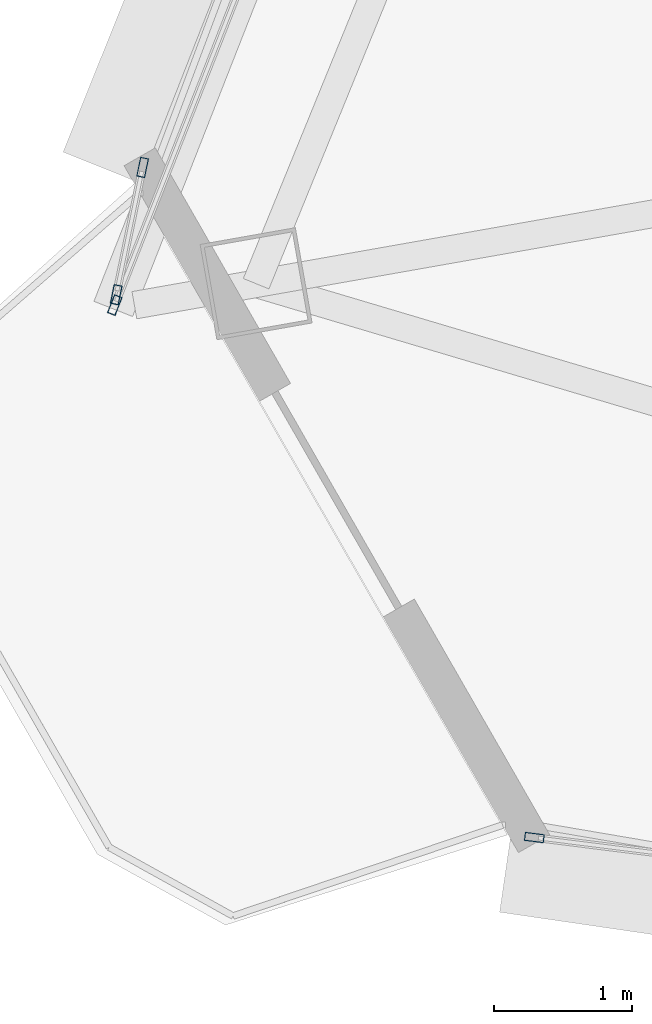
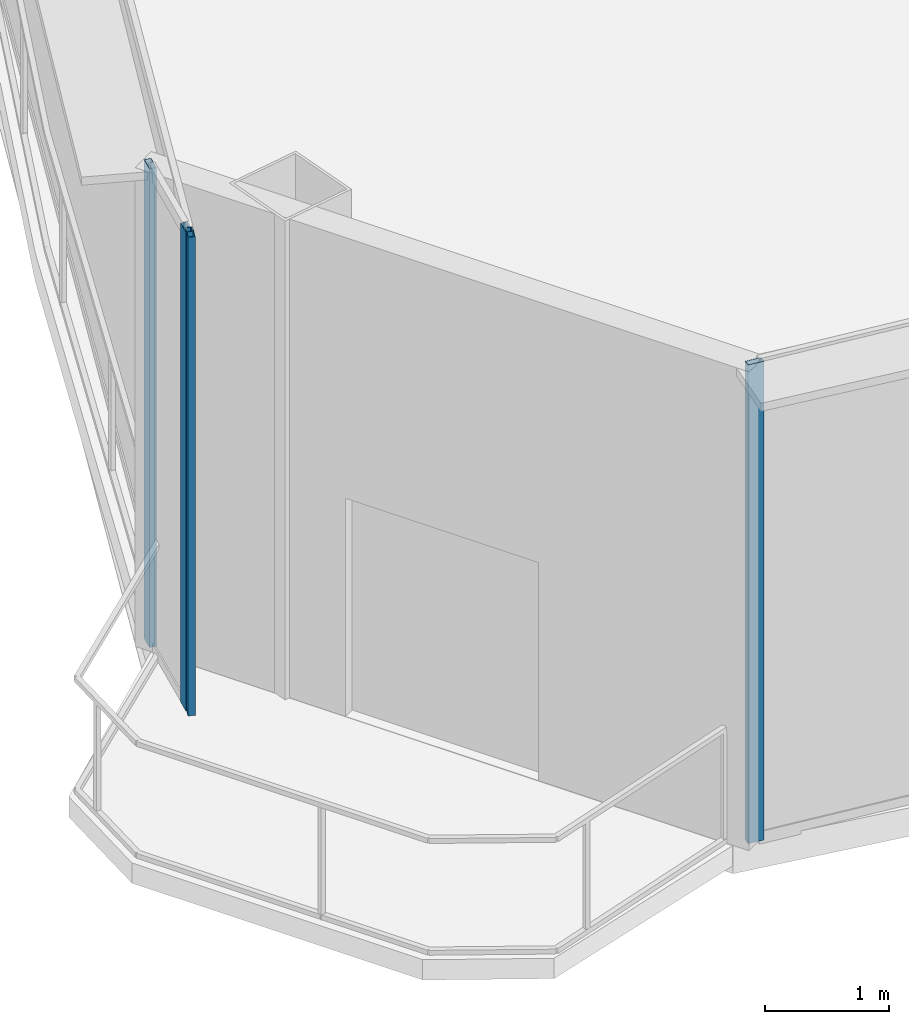
# One storey, part 2 of 29: 4 members, 3 elements without a shape of their own.
"""IFC4 building model written with IfcOpenShell, lengths in metres."""

from ifc_helpers import new_model, si_unit, direction, frame, origin, origin_2d, place, context, subcontext, project, spatial, hollow_rectangle, extrude, source, transform, mapped, material, layer, layer_set, material_profile, profile_set, type_object, element, aggregate, save


model = new_model("IFC4")

# Units and contexts
model_context = context("Model", 3, precision=1e-05, world=origin(), true_north=direction((0.0, 1.0)))
body_context = subcontext(model_context, "Body", "Model", "MODEL_VIEW")
ifc_project = project(units=[si_unit("LENGTHUNIT", "METRE"), si_unit("AREAUNIT", "SQUARE_METRE"), si_unit("VOLUMEUNIT", "CUBIC_METRE"), si_unit("PLANEANGLEUNIT", "RADIAN"), si_unit("MASSUNIT", "GRAM", prefix="KILO"), si_unit("THERMODYNAMICTEMPERATUREUNIT", "KELVIN"), si_unit("POWERUNIT", "WATT")], contexts=[model_context])

# Site, building, storey
site_placement = place(None, origin())
site = spatial("IfcSite", under=ifc_project, at=site_placement, CompositionType="ELEMENT")
building_placement = place(site_placement, origin())
building = spatial("IfcBuilding", under=site, at=building_placement, Name="Yunzhuo Pagoda Commons", CompositionType="ELEMENT")
storey_placement = place(building_placement, frame((0.0, 0.0, 366.760009765625)))
storey = spatial("IfcBuildingStorey", under=building, at=storey_placement, Name="L92", CompositionType="ELEMENT", Elevation=366.760009765625)

# Curtain wall, member
ifc_material = material(Name="Anodized aluminium 6063-T6", Category="aluminium")
ifc_layer = layer(ifc_material, 0.139892578125)
ifc_layer_set = layer_set([ifc_layer], Name="Anodized aluminium 6063-T6")
curtain_wall_type = type_object("IfcCurtainWallType", Name="CW-HI High-Zone Ribbon Curtain Wall", PredefinedType="NOTDEFINED", material=ifc_layer_set)
curtain_wall_1_placement = place(storey_placement, origin())
curtain_wall_1 = element("IfcCurtainWall", 1, at=curtain_wall_1_placement, inside=storey, type_object=curtain_wall_type, Name="L92 curtain wall CW-L92-F1B1", PredefinedType="NOTDEFINED")
ifc_material_profile = material_profile(ifc_material, hollow_rectangle(XDim=0.06005859375, YDim=0.139892578125, WallThickness=0.00341796875, at=origin_2d()), Name="Anodized aluminium 6063-T6")
ifc_profile_set = profile_set([ifc_material_profile], Name="Anodized aluminium 6063-T6")
member_type = type_object("IfcMemberType", Name="CW-HI-M Mullion RHS 140x60x3.5", PredefinedType="MULLION", material=ifc_profile_set)
shared_shape = source(origin(), body_context, "Body", "SweptSolid", [
    extrude(hollow_rectangle(XDim=0.06005859375, YDim=0.139892578125, WallThickness=0.00341796875, at=origin_2d()), origin(), (0.0, 0.0, 1.0), 4.72021484375),
])
member_1_placement = place(storey_placement, frame((25.54345703125, 25.37646484375, 0.0), z_axis=(0.0, 0.0, 1.0), x_axis=(0.124712184848, 0.992192960543, 0.0)))
member_1 = element("IfcMember", 2, at=member_1_placement, type_object=member_type, Name="CW mullion 1", PredefinedType="MULLION", context=body_context, shape_type="MappedRepresentation", body=[
    mapped(shared_shape, transform((0.0, 0.0, 0.0), scale=1.0)),
])
aggregate(curtain_wall_1, [member_1])

curtain_wall_2_placement = place(storey_placement, origin())
curtain_wall_2 = element("IfcCurtainWall", 3, at=curtain_wall_2_placement, inside=storey, type_object=curtain_wall_type, Name="L92 curtain wall CW-L92-F3B4", PredefinedType="NOTDEFINED")
member_2_placement = place(storey_placement, frame((22.5068359375, 29.230712890625, 0.0), z_axis=(0.0, 0.0, 1.0), x_axis=(0.930802876709, -0.365521551636, 0.0)))
member_2 = element("IfcMember", 4, at=member_2_placement, type_object=member_type, Name="CW mullion 2", PredefinedType="MULLION", context=body_context, shape_type="MappedRepresentation", body=[
    mapped(shared_shape, transform((0.0, 0.0, 0.0), scale=1.0)),
])
aggregate(curtain_wall_2, [member_2])

# Curtain wall, members
curtain_wall_3_placement = place(storey_placement, origin())
curtain_wall_3 = element("IfcCurtainWall", 5, at=curtain_wall_3_placement, inside=storey, type_object=curtain_wall_type, Name="L92 curtain wall CW-L92-F3B5", PredefinedType="NOTDEFINED")
member_3_placement = place(storey_placement, frame((22.51708984375, 29.3056640625, 0.0), z_axis=(0.0, 0.0, 1.0), x_axis=(-0.979140590747, 0.203183915585, 0.0)))
member_3 = element("IfcMember", 6, at=member_3_placement, type_object=member_type, Name="CW mullion 1", PredefinedType="MULLION", context=body_context, shape_type="MappedRepresentation", body=[
    mapped(shared_shape, transform((0.0, 0.0, 0.0), scale=1.0)),
])
member_4_placement = place(storey_placement, frame((22.708251953125, 30.226806640625, 0.0), z_axis=(0.0, 0.0, 1.0), x_axis=(-0.979140590747, 0.203183915585, 0.0)))
member_4 = element("IfcMember", 7, at=member_4_placement, type_object=member_type, Name="CW mullion 2", PredefinedType="MULLION", context=body_context, shape_type="MappedRepresentation", body=[
    mapped(shared_shape, transform((0.0, 0.0, 0.0), scale=1.0)),
])
aggregate(curtain_wall_3, [member_3, member_4])

save(model, "model.ifc")
